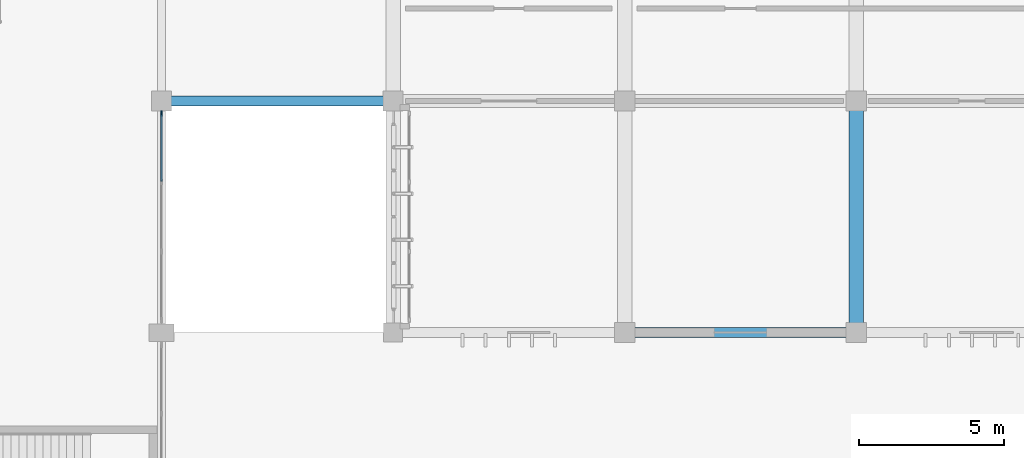
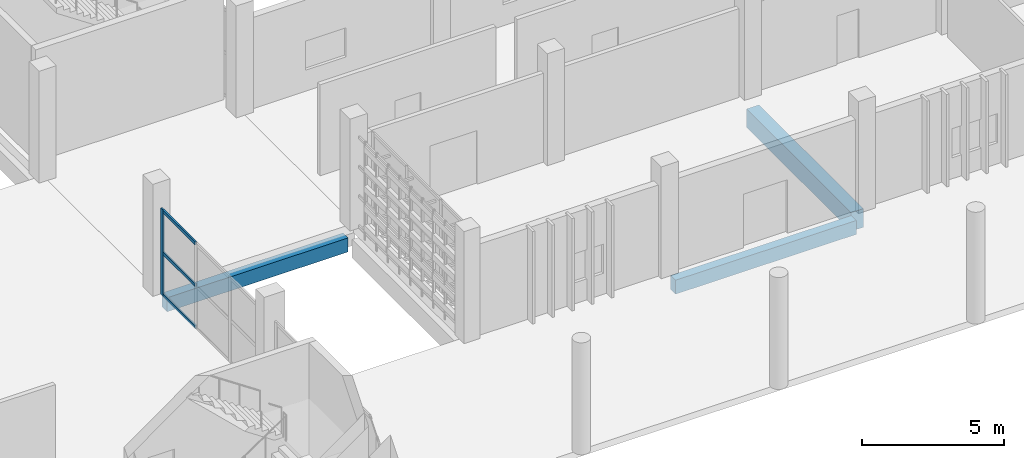
# One storey, part 26 of 117: 4 members, 3 beams, 1 element without a shape of its own.
"""IFC4 building model written with IfcOpenShell, lengths in metres."""

from ifc_helpers import new_model, si_unit, direction, frame, origin, origin_2d, place, context, subcontext, project, spatial, rectangle, extrude, material, layer, layer_set, material_profile, profile_set, type_object, element, aggregate, save


model = new_model("IFC4")

# Units and contexts
model_context = context("Model", 3, precision=1e-05, world=origin(), true_north=direction((0.0, 1.0)))
body_context = subcontext(model_context, "Body", "Model", "MODEL_VIEW")
ifc_project = project(units=[si_unit("LENGTHUNIT", "METRE"), si_unit("AREAUNIT", "SQUARE_METRE"), si_unit("VOLUMEUNIT", "CUBIC_METRE"), si_unit("PLANEANGLEUNIT", "RADIAN"), si_unit("MASSUNIT", "GRAM", prefix="KILO")], contexts=[model_context])

# Site, building, storey
site_placement = place(None, origin())
site = spatial("IfcSite", under=ifc_project, at=site_placement, CompositionType="ELEMENT")
building_placement = place(site_placement, origin())
building = spatial("IfcBuilding", under=site, at=building_placement, Name="Jelvoka-Kovrelna Polytechnic", CompositionType="ELEMENT")
storey_placement = place(building_placement, origin())
storey = spatial("IfcBuildingStorey", under=building, at=storey_placement, Name="L01", CompositionType="ELEMENT", Elevation=0.0)

# Beam
ifc_material_1 = material(Name="Concrete C40/50", Category="concrete")
ifc_material_profile_1 = material_profile(ifc_material_1, rectangle(XDim=0.5, YDim=0.800048828125, at=origin_2d()), Name="RC 500x800")
ifc_profile_set_1 = profile_set([ifc_material_profile_1], Name="Concrete C40/50")
beam_type_1 = type_object("IfcBeamType", Name="Beam_RC_500x800", PredefinedType="BEAM", material=ifc_profile_set_1)
beam_placement = place(storey_placement, frame((72.0, 8.330078125, -0.804931640625), z_axis=(0.0, 1.0, 0.0), x_axis=(-1.0, 0.0, 0.0)))
element("IfcBeam", 1, at=beam_placement, inside=storey, type_object=beam_type_1, Name="L01 beam 0326", PredefinedType="BEAM", context=body_context, shape_type="SweptSolid", body=[
    extrude(rectangle(XDim=0.5, YDim=0.800048828125, at=origin_2d()), origin(), (0.0, 0.0, 1.0), 7.33984375),
])

# Curtain wall, member
ifc_material_2 = material(Name="Anodised aluminium 6063-T6", Category="aluminium")
ifc_layer = layer(ifc_material_2, 0.179931640625)
ifc_layer_set = layer_set([ifc_layer], Name="Anodised aluminium 6063-T6")
curtain_wall_type = type_object("IfcCurtainWallType", Name="CW_Pavilion", PredefinedType="NOTDEFINED", material=ifc_layer_set)
curtain_wall_placement = place(storey_placement, origin())
curtain_wall = element("IfcCurtainWall", 2, at=curtain_wall_placement, inside=storey, type_object=curtain_wall_type, Name="L01 glazed curtain wall 269", PredefinedType="NOTDEFINED")
ifc_material_3 = material(Name="Anodised aluminium 6063-T6", Category="aluminium")
ifc_material_profile_2 = material_profile(ifc_material_3, rectangle(XDim=0.06494140625, YDim=0.179931640625, at=origin_2d()), Name="ALU 65x180")
ifc_profile_set_2 = profile_set([ifc_material_profile_2], Name="Anodised aluminium 6063-T6")
member_type_1 = type_object("IfcMemberType", Name="Mullion_M-05", PredefinedType="MULLION", material=ifc_profile_set_2)
member_1_placement = place(storey_placement, frame((48.0, 15.5673828125, -0.02490234375), z_axis=(0.0, 0.0, 1.0), x_axis=(1.0, 0.0, 0.0)))
member_1 = element("IfcMember", 3, at=member_1_placement, type_object=member_type_1, Name="CW-05 mullion 1", PredefinedType="MULLION", context=body_context, shape_type="SweptSolid", body=[
    extrude(rectangle(XDim=0.06494140625, YDim=0.179931640625, at=origin_2d()), origin(), (0.0, 0.0, 1.0), 3.705078125),
])

# Beams
ifc_material_4 = material(Name="Concrete C40/50", Category="concrete")
ifc_material_profile_3 = material_profile(ifc_material_4, rectangle(XDim=0.35009765625, YDim=0.60009765625, at=origin_2d()), Name="RC 350x600")
ifc_profile_set_3 = profile_set([ifc_material_profile_3], Name="Concrete C40/50")
beam_type_2 = type_object("IfcBeamType", Name="Spandrel_RC_350x600", PredefinedType="SPANDREL", material=ifc_profile_set_3)
for number, where, z_axis, x_axis, name in (
    (4, (64.330078125, 8.0, -0.705078125), (1.0, 0.0, 0.0), (0.0, 1.0, 0.0), "L01 beam 0303"),
    (5, (48.330078125, 16.0, -0.705078125), (1.0, 0.0, 0.0), (0.0, 1.0, 0.0), "L01 beam 0523"),
):
    element("IfcBeam", number, at=place(storey_placement, frame(where, z_axis=z_axis, x_axis=x_axis)), inside=storey, type_object=beam_type_2, Name=name, PredefinedType="SPANDREL", context=body_context, shape_type="SweptSolid", body=[
        extrude(rectangle(XDim=0.35009765625, YDim=0.60009765625, at=origin_2d()), origin(), (0.0, 0.0, 1.0), 7.33984375),
    ])

# Member
ifc_material_5 = material(Name="Anodised aluminium 6063-T6", Category="aluminium")
ifc_material_profile_4 = material_profile(ifc_material_5, rectangle(XDim=0.06494140625, YDim=0.135009765625, at=origin_2d()), Name="ALU 65x135")
ifc_profile_set_4 = profile_set([ifc_material_profile_4], Name="Anodised aluminium 6063-T6")
member_type_2 = type_object("IfcMemberType", Name="Transom_T-05", PredefinedType="USERDEFINED", material=ifc_profile_set_4)
member_2_placement = place(storey_placement, frame((48.0, 15.534912109375, 0.032470703125), z_axis=(0.0, -1.0, 0.0), x_axis=(1.0, 0.0, 0.0)))
member_2 = element("IfcMember", 6, at=member_2_placement, type_object=member_type_2, Name="CW-05 transom 1.1", ObjectType="TRANSOM", PredefinedType="USERDEFINED", context=body_context, shape_type="SweptSolid", body=[
    extrude(rectangle(XDim=0.06494140625, YDim=0.135009765625, at=origin_2d()), origin(), (0.0, 0.0, 1.0), 2.302490234375),
])

member_3_placement = place(storey_placement, frame((48.0, 15.534912109375, 1.82763671875), z_axis=(0.0, -1.0, 0.0), x_axis=(1.0, 0.0, 0.0)))
member_3 = element("IfcMember", 7, at=member_3_placement, type_object=member_type_2, Name="CW-05 transom 1.2", ObjectType="TRANSOM", PredefinedType="USERDEFINED", context=body_context, shape_type="SweptSolid", body=[
    extrude(rectangle(XDim=0.06494140625, YDim=0.135009765625, at=origin_2d()), origin(), (0.0, 0.0, 1.0), 2.302490234375),
])

member_4_placement = place(storey_placement, frame((48.0, 15.534912109375, 3.62255859375), z_axis=(0.0, -1.0, 0.0), x_axis=(1.0, 0.0, 0.0)))
member_4 = element("IfcMember", 8, at=member_4_placement, type_object=member_type_2, Name="CW-05 transom 1.3", ObjectType="TRANSOM", PredefinedType="USERDEFINED", context=body_context, shape_type="SweptSolid", body=[
    extrude(rectangle(XDim=0.06494140625, YDim=0.135009765625, at=origin_2d()), origin(), (0.0, 0.0, 1.0), 2.302490234375),
])

aggregate(curtain_wall, [member_1, member_2, member_3, member_4])

save(model, "model.ifc")
